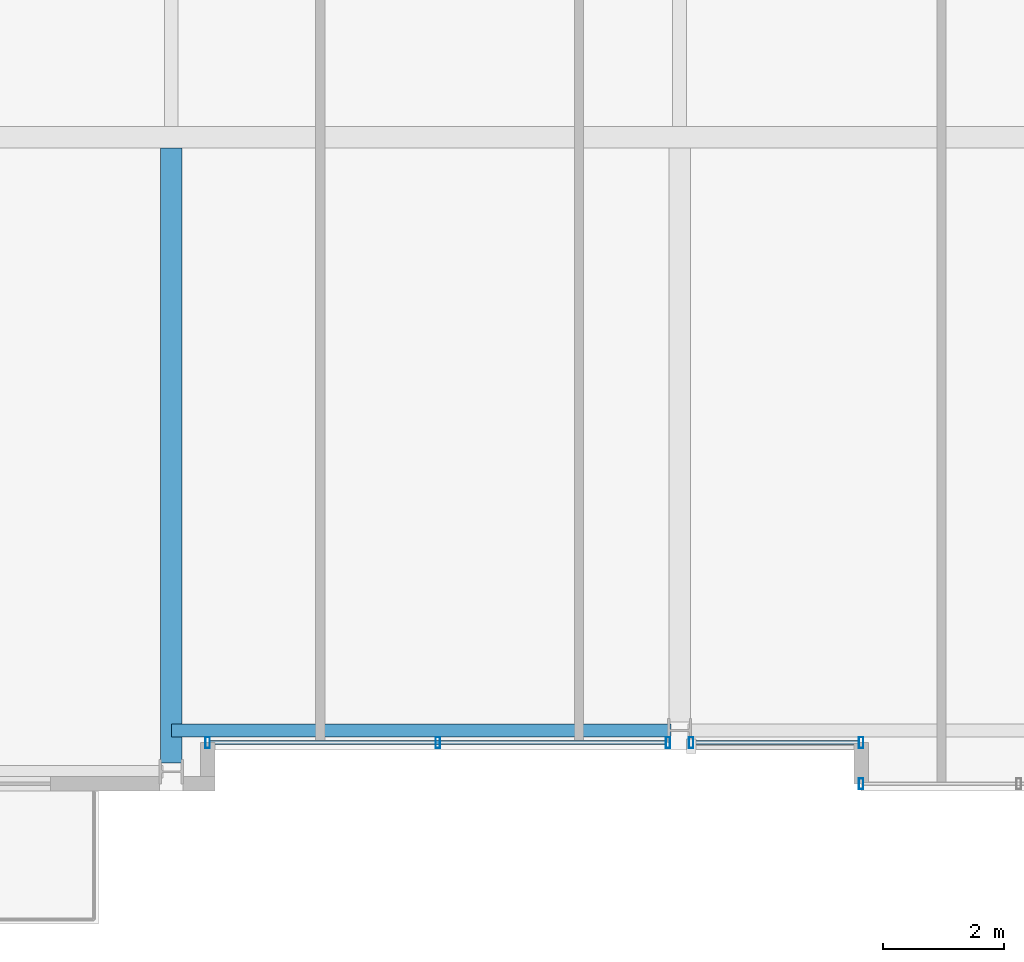
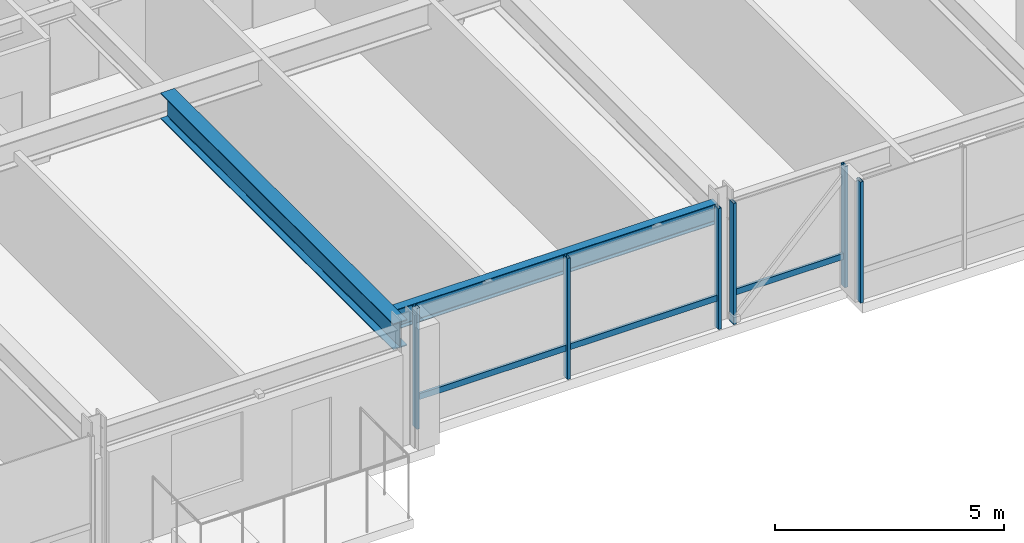
# One storey, part 5 of 33: 8 members, 2 beams, 3 elements without a shape of their own.
"""IFC4 building model written with IfcOpenShell, lengths in metres."""

from ifc_helpers import new_model, si_unit, direction, frame, origin, origin_2d, place, context, subcontext, project, spatial, hollow_rectangle, i_section, extrude, material, layer, layer_set, material_profile, profile_set, type_object, element, aggregate, save


model = new_model("IFC4")

# Units and contexts
model_context = context("Model", 3, precision=1e-05, world=origin(), true_north=direction((0.0, 1.0)))
body_context = subcontext(model_context, "Body", "Model", "MODEL_VIEW")
ifc_project = project(units=[si_unit("LENGTHUNIT", "METRE"), si_unit("AREAUNIT", "SQUARE_METRE"), si_unit("VOLUMEUNIT", "CUBIC_METRE"), si_unit("PLANEANGLEUNIT", "RADIAN"), si_unit("MASSUNIT", "GRAM", prefix="KILO")], contexts=[model_context])

# Site, building, storey
site_placement = place(None, origin())
site = spatial("IfcSite", under=ifc_project, at=site_placement, CompositionType="ELEMENT")
building_placement = place(site_placement, origin())
building = spatial("IfcBuilding", under=site, at=building_placement, Name="Drelvath Grand Hotel", CompositionType="ELEMENT")
storey_placement = place(building_placement, frame((0.0, 0.0, 196.550048828125)))
storey = spatial("IfcBuildingStorey", under=building, at=storey_placement, Name="L51", CompositionType="ELEMENT", Elevation=196.550048828125)

# Curtain wall, member
ifc_material_1 = material(Name="Brushed Pale-Silver Anodised Aluminium Frame", Category="aluminium")
ifc_layer = layer(ifc_material_1, 0.199951171875)
ifc_layer_set = layer_set([ifc_layer], Name="Brushed Pale-Silver Anodised Aluminium Frame")
curtain_wall_type = type_object("IfcCurtainWallType", Name="Stick Curtain Wall CW-04 Brushed Silver Upper-Mid", PredefinedType="NOTDEFINED", material=ifc_layer_set)
curtain_wall_1_placement = place(storey_placement, origin())
curtain_wall_1 = element("IfcCurtainWall", 1, at=curtain_wall_1_placement, inside=storey, type_object=curtain_wall_type, Name="L51 CW-04 Curtain Wall CW04-L51-SM1", PredefinedType="NOTDEFINED")
ifc_material_profile_1 = material_profile(ifc_material_1, hollow_rectangle(XDim=0.06494140625, YDim=0.159912109375, WallThickness=0.00390625, at=origin_2d()), Name="HSS160X65X4")
ifc_profile_set_1 = profile_set([ifc_material_profile_1], Name="Brushed Pale-Silver Anodised Aluminium Frame")
member_type_1 = type_object("IfcMemberType", Name="Curtain Wall Horizontal Transom CW-04 HSS160X65X4", PredefinedType="USERDEFINED", material=ifc_profile_set_1)
member_1_placement = place(storey_placement, frame((-0.231689453125, 0.800048828125, 0.807373046875), z_axis=(-1.0, 0.0, 0.0), x_axis=(0.0, -1.0, 0.0)))
member_1 = element("IfcMember", 2, at=member_1_placement, type_object=member_type_1, Name="CW04-L51-SM1 Sill Transom", ObjectType="TRANSOM", PredefinedType="USERDEFINED", context=body_context, shape_type="SweptSolid", body=[
    extrude(hollow_rectangle(XDim=0.06494140625, YDim=0.159912109375, WallThickness=0.00390625, at=origin_2d()), origin(), (0.0, 0.0, 1.0), 7.5283203125),
])

curtain_wall_2_placement = place(storey_placement, origin())
curtain_wall_2 = element("IfcCurtainWall", 3, at=curtain_wall_2_placement, inside=storey, type_object=curtain_wall_type, Name="L51 CW-04 Curtain Wall CW04-L51-SM2", PredefinedType="NOTDEFINED")
member_2_placement = place(storey_placement, frame((2.9599609375, 0.800048828125, 0.807373046875), z_axis=(-1.0, 0.0, 0.0), x_axis=(0.0, -1.0, 0.0)))
member_2 = element("IfcMember", 4, at=member_2_placement, type_object=member_type_1, Name="CW04-L51-SM2 Sill Transom", ObjectType="TRANSOM", PredefinedType="USERDEFINED", context=body_context, shape_type="SweptSolid", body=[
    extrude(hollow_rectangle(XDim=0.06494140625, YDim=0.159912109375, WallThickness=0.00390625, at=origin_2d()), origin(), (0.0, 0.0, 1.0), 2.728271484375),
])

curtain_wall_3_placement = place(storey_placement, origin())
curtain_wall_3 = element("IfcCurtainWall", 5, at=curtain_wall_3_placement, inside=storey, type_object=curtain_wall_type, Name="L51 CW-04 Curtain Wall CW04-L51-SE1", PredefinedType="NOTDEFINED")
ifc_material_profile_2 = material_profile(ifc_material_1, hollow_rectangle(XDim=0.074951171875, YDim=0.179931640625, WallThickness=0.0048828125, at=origin_2d()), Name="HSS180X75X5")
ifc_profile_set_2 = profile_set([ifc_material_profile_2], Name="Brushed Pale-Silver Anodised Aluminium Frame")
member_type_2 = type_object("IfcMemberType", Name="Curtain Wall Vertical Mullion CW-04 HSS180X75X5", PredefinedType="MULLION", material=ifc_profile_set_2)
member_3_placement = place(storey_placement, frame((3.0, 0.1201171875, 0.0), z_axis=(0.0, 0.0, 1.0), x_axis=(1.0, 0.0, 0.0)))
member_3 = element("IfcMember", 6, at=member_3_placement, type_object=member_type_2, Name="CW04-L51-SE1 Mullion 3", PredefinedType="MULLION", context=body_context, shape_type="SweptSolid", body=[
    extrude(hollow_rectangle(XDim=0.074951171875, YDim=0.179931640625, WallThickness=0.0048828125, at=origin_2d()), origin(), (0.0, 0.0, 1.0), 3.22998046875),
])
aggregate(curtain_wall_3, [member_3])

# Member
member_4_placement = place(storey_placement, frame((-0.191650390625, 0.800048828125, 0.0), z_axis=(0.0, 0.0, 1.0), x_axis=(1.0, 0.0, 0.0)))
member_4 = element("IfcMember", 7, at=member_4_placement, type_object=member_type_2, Name="CW04-L51-SM1 Mullion 1", PredefinedType="MULLION", context=body_context, shape_type="SweptSolid", body=[
    extrude(hollow_rectangle(XDim=0.074951171875, YDim=0.179931640625, WallThickness=0.0048828125, at=origin_2d()), origin(), (0.0, 0.0, 1.0), 3.22998046875),
])

member_5_placement = place(storey_placement, frame((-3.995849609375, 0.800048828125, 0.0), z_axis=(0.0, 0.0, 1.0), x_axis=(1.0, 0.0, 0.0)))
member_5 = element("IfcMember", 8, at=member_5_placement, type_object=member_type_2, Name="CW04-L51-SM1 Mullion 2", PredefinedType="MULLION", context=body_context, shape_type="SweptSolid", body=[
    extrude(hollow_rectangle(XDim=0.074951171875, YDim=0.179931640625, WallThickness=0.0048828125, at=origin_2d()), origin(), (0.0, 0.0, 1.0), 3.22998046875),
])

member_6_placement = place(storey_placement, frame((-7.800048828125, 0.800048828125, 0.0), z_axis=(0.0, 0.0, 1.0), x_axis=(1.0, 0.0, 0.0)))
member_6 = element("IfcMember", 9, at=member_6_placement, type_object=member_type_2, Name="CW04-L51-SM1 Mullion 3", PredefinedType="MULLION", context=body_context, shape_type="SweptSolid", body=[
    extrude(hollow_rectangle(XDim=0.074951171875, YDim=0.179931640625, WallThickness=0.0048828125, at=origin_2d()), origin(), (0.0, 0.0, 1.0), 3.22998046875),
])

aggregate(curtain_wall_1, [member_4, member_5, member_6, member_1])

member_7_placement = place(storey_placement, frame((3.0, 0.800048828125, 0.0), z_axis=(0.0, 0.0, 1.0), x_axis=(1.0, 0.0, 0.0)))
member_7 = element("IfcMember", 10, at=member_7_placement, type_object=member_type_2, Name="CW04-L51-SM2 Mullion 1", PredefinedType="MULLION", context=body_context, shape_type="SweptSolid", body=[
    extrude(hollow_rectangle(XDim=0.074951171875, YDim=0.179931640625, WallThickness=0.0048828125, at=origin_2d()), origin(), (0.0, 0.0, 1.0), 3.22998046875),
])

member_8_placement = place(storey_placement, frame((0.191650390625, 0.800048828125, 0.0), z_axis=(0.0, 0.0, 1.0), x_axis=(1.0, 0.0, 0.0)))
member_8 = element("IfcMember", 11, at=member_8_placement, type_object=member_type_2, Name="CW04-L51-SM2 Mullion 2", PredefinedType="MULLION", context=body_context, shape_type="SweptSolid", body=[
    extrude(hollow_rectangle(XDim=0.074951171875, YDim=0.179931640625, WallThickness=0.0048828125, at=origin_2d()), origin(), (0.0, 0.0, 1.0), 3.22998046875),
])

aggregate(curtain_wall_2, [member_7, member_8, member_2])

# Beams
ifc_material_2 = material(Name="Steel ASTM A992 Gr 50", Category="steel")
ifc_material_profile_3 = material_profile(ifc_material_2, i_section(OverallWidth=0.210205078125, OverallDepth=0.53662109375, WebThickness=0.010986328125, FlangeThickness=0.017333984375, FilletRadius=0.01806640625, at=origin_2d()), Name="W21X68")
ifc_profile_set_3 = profile_set([ifc_material_profile_3], Name="Steel ASTM A992 Gr 50")
beam_type_1 = type_object("IfcBeamType", Name="Perimeter Spandrel Beam W21X68", PredefinedType="SPANDREL", material=ifc_profile_set_3)
beam_1_placement = place(storey_placement, frame((-8.39990234375, 1.0, 2.961669921875), z_axis=(1.0, 0.0, 0.0), x_axis=(0.0, 1.0, 0.0)))
element("IfcBeam", 12, at=beam_1_placement, inside=storey, type_object=beam_type_1, Name="L51 Spandrel South Mid W", PredefinedType="SPANDREL", context=body_context, shape_type="SweptSolid", body=[
    extrude(i_section(OverallWidth=0.210205078125, OverallDepth=0.53662109375, WebThickness=0.010986328125, FlangeThickness=0.017333984375, FilletRadius=0.01806640625, at=origin_2d()), origin(), (0.0, 0.0, 1.0), 8.260009765625),
])
ifc_material_profile_4 = material_profile(ifc_material_2, i_section(OverallWidth=0.354736328125, OverallDepth=0.695556640625, WebThickness=0.015380859375, FlangeThickness=0.025146484375, FilletRadius=0.02392578125, at=origin_2d()), Name="W27X146")
ifc_profile_set_4 = profile_set([ifc_material_profile_4], Name="Steel ASTM A992 Gr 50")
beam_type_2 = type_object("IfcBeamType", Name="Primary Floor Girder W27X146", PredefinedType="BEAM", material=ifc_profile_set_4)
beam_2_placement = place(storey_placement, frame((-8.39990234375, 0.4599609375, 2.88232421875), z_axis=(0.0, 1.0, 0.0), x_axis=(-1.0, 0.0, 0.0)))
element("IfcBeam", 13, at=beam_2_placement, inside=storey, type_object=beam_type_2, Name="L51 South Wing Girder 4", PredefinedType="BEAM", context=body_context, shape_type="SweptSolid", body=[
    extrude(i_section(OverallWidth=0.354736328125, OverallDepth=0.695556640625, WebThickness=0.015380859375, FlangeThickness=0.025146484375, FilletRadius=0.02392578125, at=origin_2d()), origin(), (0.0, 0.0, 1.0), 10.16259765625),
])

save(model, "model.ifc")
